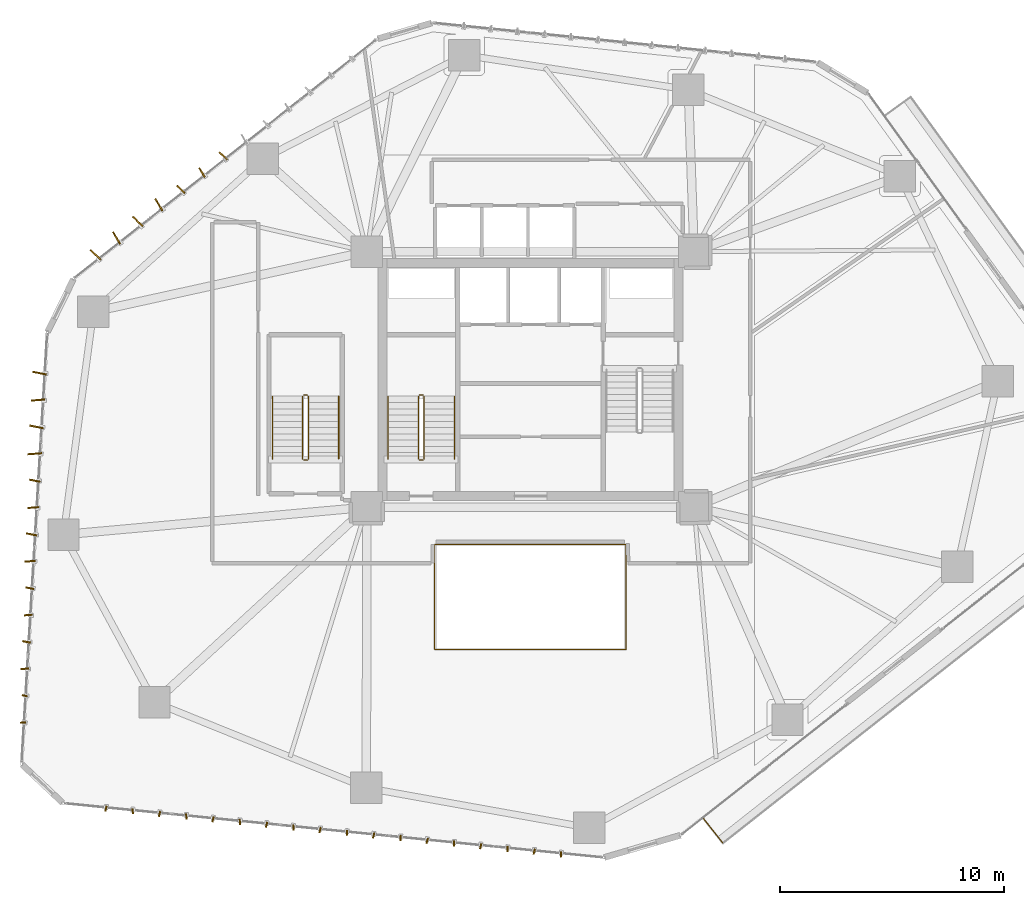
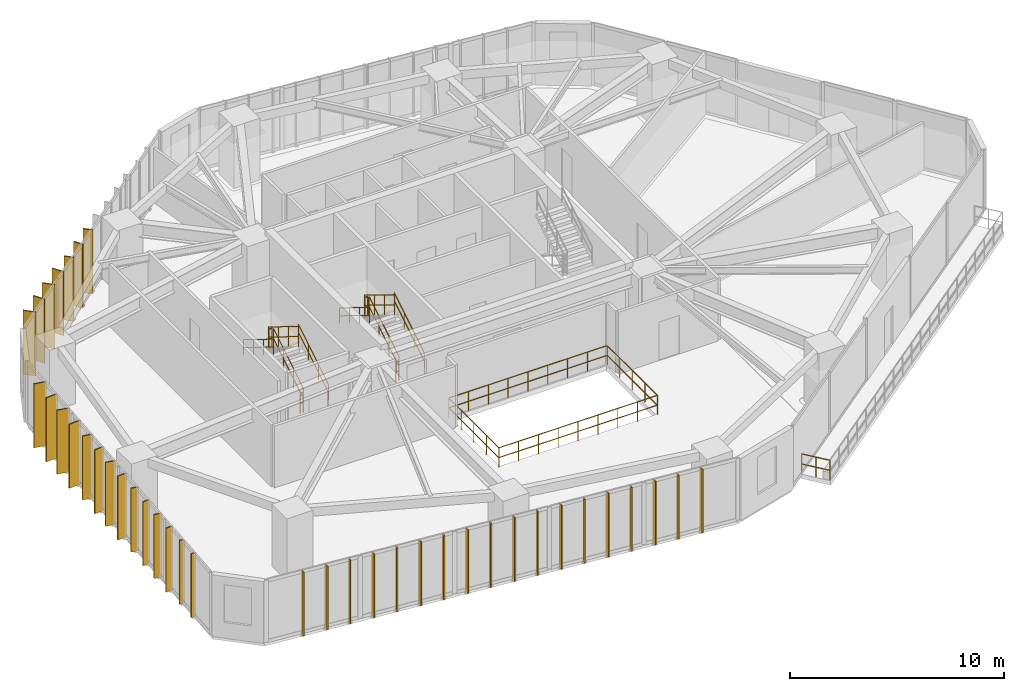
# One storey, part 22 of 24: 39 shading devices, 17 railings.
"""IFC4 building model written with IfcOpenShell, lengths in metres."""

from ifc_helpers import new_model, si_unit, direction, frame, origin, origin_2d, place, context, subcontext, project, spatial, rectangle, circle, extrude, source, transform, mapped, material, layer, layer_set, type_object, type_shapes, element, save


model = new_model("IFC4")

# Units and contexts
model_context = context("Model", 3, precision=1e-05, world=origin(), true_north=direction((0.0, 1.0)))
body_context = subcontext(model_context, "Body", "Model", "MODEL_VIEW")
ifc_project = project(units=[si_unit("LENGTHUNIT", "METRE"), si_unit("AREAUNIT", "SQUARE_METRE"), si_unit("VOLUMEUNIT", "CUBIC_METRE"), si_unit("PLANEANGLEUNIT", "RADIAN"), si_unit("MASSUNIT", "GRAM", prefix="KILO")], contexts=[model_context])

# Site, building, storey
site_placement = place(None, origin())
site = spatial("IfcSite", under=ifc_project, at=site_placement, CompositionType="ELEMENT")
building_placement = place(site_placement, origin())
building = spatial("IfcBuilding", under=site, at=building_placement, Name="Talar Marvaseh", CompositionType="ELEMENT")
storey_placement = place(building_placement, frame((0.0, 0.0, 73.39990234375)))
storey = spatial("IfcBuildingStorey", under=building, at=storey_placement, Name="L18", CompositionType="ELEMENT", Elevation=73.39990234375)

# Railings
ifc_material_1 = material(Name="Stainless Steel Grade 316", Category="steel")
railing_type_1 = type_object("IfcRailingType", Name="Brushed Stainless Wall Pitch Handrail 900", PredefinedType="HANDRAIL", material=ifc_material_1)
railing_1_placement = place(storey_placement, frame((22.610107421875, 27.64990234375, 0.1728515625)))
element("IfcRailing", 1, at=railing_1_placement, inside=storey, type_object=railing_type_1, Name="L18 ST-1 stair handrail 1", PredefinedType="HANDRAIL", context=body_context, shape_type="SweptSolid", body=[
    extrude(circle(Radius=0.02392578125, at=origin_2d()), frame((0.0, 0.0, 0.8759765625), z_axis=(0.0, 0.851089632645, 0.525020415988), x_axis=(-1.0, 0.0, 0.0)), (0.0, 0.0, 1.0), 3.2900390625),
    extrude(circle(Radius=0.02392578125, at=origin_2d()), frame((0.0, 0.0, 0.42578125), z_axis=(0.0, 0.851089632645, 0.525020415988), x_axis=(-1.0, 0.0, 0.0)), (0.0, 0.0, 1.0), 3.2900390625),
    extrude(circle(Radius=0.02099609375, at=origin_2d()), origin(), (0.0, 0.0, 1.0), 0.851806640625),
    extrude(circle(Radius=0.02099609375, at=origin_2d()), frame((0.0, 0.933349609375, 0.57568359375)), (0.0, 0.0, 1.0), 0.851806640625),
    extrude(circle(Radius=0.02099609375, at=origin_2d()), frame((0.0, 1.86669921875, 1.151611328125)), (0.0, 0.0, 1.0), 0.851806640625),
    extrude(circle(Radius=0.02099609375, at=origin_2d()), frame((0.0, 2.800048828125, 1.727294921875)), (0.0, 0.0, 1.0), 0.851806640625),
])
railing_2_placement = place(storey_placement, frame((19.64990234375, 30.449951171875, 2.07275390625)))
element("IfcRailing", 2, at=railing_2_placement, inside=storey, type_object=railing_type_1, Name="L18 ST-1 stair handrail 2", PredefinedType="HANDRAIL", context=body_context, shape_type="SweptSolid", body=[
    extrude(circle(Radius=0.02392578125, at=origin_2d()), frame((0.0, 0.0, 0.8759765625), z_axis=(0.0, -0.851089632645, 0.525020415988), x_axis=(1.0, 0.0, 0.0)), (0.0, 0.0, 1.0), 3.2900390625),
    extrude(circle(Radius=0.02392578125, at=origin_2d()), frame((0.0, 0.0, 0.42578125), z_axis=(0.0, -0.851089632645, 0.525020415988), x_axis=(1.0, 0.0, 0.0)), (0.0, 0.0, 1.0), 3.2900390625),
    extrude(circle(Radius=0.02099609375, at=origin_2d()), origin(), (0.0, 0.0, 1.0), 0.851806640625),
    extrude(circle(Radius=0.02099609375, at=origin_2d()), frame((0.0, -0.933349609375, 0.57568359375)), (0.0, 0.0, 1.0), 0.851806640625),
    extrude(circle(Radius=0.02099609375, at=origin_2d()), frame((0.0, -1.86669921875, 1.151611328125)), (0.0, 0.0, 1.0), 0.851806640625),
    extrude(circle(Radius=0.02099609375, at=origin_2d()), frame((0.0, -2.800048828125, 1.727294921875)), (0.0, 0.0, 1.0), 0.851806640625),
])
railing_3_placement = place(storey_placement, frame((17.449951171875, 27.64990234375, 0.1728515625)))
element("IfcRailing", 3, at=railing_3_placement, inside=storey, type_object=railing_type_1, Name="L18 ST-3 stair handrail 1", PredefinedType="HANDRAIL", context=body_context, shape_type="SweptSolid", body=[
    extrude(circle(Radius=0.02392578125, at=origin_2d()), frame((0.0, 0.0, 0.8759765625), z_axis=(0.0, 0.851089632645, 0.525020415988), x_axis=(-1.0, 0.0, 0.0)), (0.0, 0.0, 1.0), 3.2900390625),
    extrude(circle(Radius=0.02392578125, at=origin_2d()), frame((0.0, 0.0, 0.42578125), z_axis=(0.0, 0.851089632645, 0.525020415988), x_axis=(-1.0, 0.0, 0.0)), (0.0, 0.0, 1.0), 3.2900390625),
    extrude(circle(Radius=0.02099609375, at=origin_2d()), origin(), (0.0, 0.0, 1.0), 0.851806640625),
    extrude(circle(Radius=0.02099609375, at=origin_2d()), frame((0.0, 0.933349609375, 0.57568359375)), (0.0, 0.0, 1.0), 0.851806640625),
    extrude(circle(Radius=0.02099609375, at=origin_2d()), frame((0.0, 1.86669921875, 1.151611328125)), (0.0, 0.0, 1.0), 0.851806640625),
    extrude(circle(Radius=0.02099609375, at=origin_2d()), frame((0.0, 2.800048828125, 1.727294921875)), (0.0, 0.0, 1.0), 0.851806640625),
])
railing_4_placement = place(storey_placement, frame((14.489990234375, 30.449951171875, 2.07275390625)))
element("IfcRailing", 4, at=railing_4_placement, inside=storey, type_object=railing_type_1, Name="L18 ST-3 stair handrail 2", PredefinedType="HANDRAIL", context=body_context, shape_type="SweptSolid", body=[
    extrude(circle(Radius=0.02392578125, at=origin_2d()), frame((0.0, 0.0, 0.8759765625), z_axis=(0.0, -0.851089632645, 0.525020415988), x_axis=(1.0, 0.0, 0.0)), (0.0, 0.0, 1.0), 3.2900390625),
    extrude(circle(Radius=0.02392578125, at=origin_2d()), frame((0.0, 0.0, 0.42578125), z_axis=(0.0, -0.851089632645, 0.525020415988), x_axis=(1.0, 0.0, 0.0)), (0.0, 0.0, 1.0), 3.2900390625),
    extrude(circle(Radius=0.02099609375, at=origin_2d()), origin(), (0.0, 0.0, 1.0), 0.851806640625),
    extrude(circle(Radius=0.02099609375, at=origin_2d()), frame((0.0, -0.933349609375, 0.57568359375)), (0.0, 0.0, 1.0), 0.851806640625),
    extrude(circle(Radius=0.02099609375, at=origin_2d()), frame((0.0, -1.86669921875, 1.151611328125)), (0.0, 0.0, 1.0), 0.851806640625),
    extrude(circle(Radius=0.02099609375, at=origin_2d()), frame((0.0, -2.800048828125, 1.727294921875)), (0.0, 0.0, 1.0), 0.851806640625),
])
ifc_material_2 = material(Name="Tempered Clear Glass", Category="glass")
railing_type_2 = type_object("IfcRailingType", Name="External Laminated Glass Terrace Balustrade 1150", PredefinedType="BALUSTRADE", material=ifc_material_2)
railing_5_placement = place(storey_placement, frame((34.578369140625, 10.522705078125, 0.0)))
element("IfcRailing", 5, at=railing_5_placement, inside=storey, type_object=railing_type_2, Name="L18 External Terrace Balustrade 2 3", PredefinedType="BALUSTRADE", context=body_context, shape_type="SweptSolid", body=[
    extrude(circle(Radius=0.02392578125, at=origin_2d()), frame((0.0, 0.0, 1.1259765625), z_axis=(-0.618891652288, 0.785476366754, 0.0), x_axis=(-0.785476366754, -0.618891652288, 0.0)), (0.0, 0.0, 1.0), 1.409912109375),
    extrude(circle(Radius=0.02392578125, at=origin_2d()), frame((0.0, 0.0, 0.55078125), z_axis=(-0.618891652288, 0.785476366754, 0.0), x_axis=(-0.785476366754, -0.618891652288, 0.0)), (0.0, 0.0, 1.0), 1.409912109375),
    extrude(circle(Radius=0.02099609375, at=origin_2d()), origin(), (0.0, 0.0, 1.0), 1.101806640625),
    extrude(circle(Radius=0.02099609375, at=origin_2d()), frame((-0.436279296875, 0.5537109375, 0.0)), (0.0, 0.0, 1.0), 1.101806640625),
    extrude(circle(Radius=0.02099609375, at=origin_2d()), frame((-0.87255859375, 1.107421875, 0.0)), (0.0, 0.0, 1.0), 1.101806640625),
])
railing_type_3 = type_object("IfcRailingType", Name="Interior Atrium Edge Balustrade 1120", PredefinedType="BALUSTRADE", material=ifc_material_2)
railing_6_placement = place(storey_placement, frame((21.729736328125, 19.16162109375, 0.0)))
element("IfcRailing", 6, at=railing_6_placement, inside=storey, type_object=railing_type_3, Name="L18 Internal Daylight Atrium Balustrade 1", PredefinedType="BALUSTRADE", context=body_context, shape_type="SweptSolid", body=[
    extrude(circle(Radius=0.02392578125, at=origin_2d()), frame((0.0, 0.0, 1.09619140625), z_axis=(1.0, 0.0, 0.0), x_axis=(0.0, 1.0, 0.0)), (0.0, 0.0, 1.0), 8.54052734375),
    extrude(circle(Radius=0.02392578125, at=origin_2d()), frame((0.0, 0.0, 0.5361328125), z_axis=(1.0, 0.0, 0.0), x_axis=(0.0, 1.0, 0.0)), (0.0, 0.0, 1.0), 8.54052734375),
    extrude(circle(Radius=0.02099609375, at=origin_2d()), origin(), (0.0, 0.0, 1.0), 1.072021484375),
    extrude(circle(Radius=0.02099609375, at=origin_2d()), frame((1.067626953125, 0.0, 0.0)), (0.0, 0.0, 1.0), 1.072021484375),
    extrude(circle(Radius=0.02099609375, at=origin_2d()), frame((2.13525390625, 0.0, 0.0)), (0.0, 0.0, 1.0), 1.072021484375),
    extrude(circle(Radius=0.02099609375, at=origin_2d()), frame((3.20263671875, 0.0, 0.0)), (0.0, 0.0, 1.0), 1.072021484375),
    extrude(circle(Radius=0.02099609375, at=origin_2d()), frame((4.270263671875, 0.0, 0.0)), (0.0, 0.0, 1.0), 1.072021484375),
    extrude(circle(Radius=0.02099609375, at=origin_2d()), frame((5.337890625, 0.0, 0.0)), (0.0, 0.0, 1.0), 1.072021484375),
    extrude(circle(Radius=0.02099609375, at=origin_2d()), frame((6.4052734375, 0.0, 0.0)), (0.0, 0.0, 1.0), 1.072021484375),
    extrude(circle(Radius=0.02099609375, at=origin_2d()), frame((7.472900390625, 0.0, 0.0)), (0.0, 0.0, 1.0), 1.072021484375),
    extrude(circle(Radius=0.02099609375, at=origin_2d()), frame((8.54052734375, 0.0, 0.0)), (0.0, 0.0, 1.0), 1.072021484375),
])
railing_7_placement = place(storey_placement, frame((30.270263671875, 19.16162109375, 0.0)))
element("IfcRailing", 7, at=railing_7_placement, inside=storey, type_object=railing_type_3, Name="L18 Internal Daylight Atrium Balustrade 2", PredefinedType="BALUSTRADE", context=body_context, shape_type="SweptSolid", body=[
    extrude(circle(Radius=0.02392578125, at=origin_2d()), frame((0.0, 0.0, 1.09619140625), z_axis=(0.0, 1.0, 0.0), x_axis=(-1.0, 0.0, 0.0)), (0.0, 0.0, 1.0), 4.6767578125),
    extrude(circle(Radius=0.02392578125, at=origin_2d()), frame((0.0, 0.0, 0.5361328125), z_axis=(0.0, 1.0, 0.0), x_axis=(-1.0, 0.0, 0.0)), (0.0, 0.0, 1.0), 4.6767578125),
    extrude(circle(Radius=0.02099609375, at=origin_2d()), origin(), (0.0, 0.0, 1.0), 1.072021484375),
    extrude(circle(Radius=0.02099609375, at=origin_2d()), frame((0.0, 1.169189453125, 0.0)), (0.0, 0.0, 1.0), 1.072021484375),
    extrude(circle(Radius=0.02099609375, at=origin_2d()), frame((0.0, 2.33837890625, 0.0)), (0.0, 0.0, 1.0), 1.072021484375),
    extrude(circle(Radius=0.02099609375, at=origin_2d()), frame((0.0, 3.507568359375, 0.0)), (0.0, 0.0, 1.0), 1.072021484375),
    extrude(circle(Radius=0.02099609375, at=origin_2d()), frame((0.0, 4.6767578125, 0.0)), (0.0, 0.0, 1.0), 1.072021484375),
])
railing_8_placement = place(storey_placement, frame((30.270263671875, 23.83837890625, 0.0)))
element("IfcRailing", 8, at=railing_8_placement, inside=storey, type_object=railing_type_3, Name="L18 Internal Daylight Atrium Balustrade 3", PredefinedType="BALUSTRADE", context=body_context, shape_type="SweptSolid", body=[
    extrude(circle(Radius=0.02392578125, at=origin_2d()), frame((0.0, 0.0, 1.09619140625), z_axis=(-1.0, 0.0, 0.0), x_axis=(0.0, -1.0, 0.0)), (0.0, 0.0, 1.0), 8.54052734375),
    extrude(circle(Radius=0.02392578125, at=origin_2d()), frame((0.0, 0.0, 0.5361328125), z_axis=(-1.0, 0.0, 0.0), x_axis=(0.0, -1.0, 0.0)), (0.0, 0.0, 1.0), 8.54052734375),
    extrude(circle(Radius=0.02099609375, at=origin_2d()), origin(), (0.0, 0.0, 1.0), 1.072021484375),
    extrude(circle(Radius=0.02099609375, at=origin_2d()), frame((-1.067626953125, 0.0, 0.0)), (0.0, 0.0, 1.0), 1.072021484375),
    extrude(circle(Radius=0.02099609375, at=origin_2d()), frame((-2.13525390625, 0.0, 0.0)), (0.0, 0.0, 1.0), 1.072021484375),
    extrude(circle(Radius=0.02099609375, at=origin_2d()), frame((-3.20263671875, 0.0, 0.0)), (0.0, 0.0, 1.0), 1.072021484375),
    extrude(circle(Radius=0.02099609375, at=origin_2d()), frame((-4.270263671875, 0.0, 0.0)), (0.0, 0.0, 1.0), 1.072021484375),
    extrude(circle(Radius=0.02099609375, at=origin_2d()), frame((-5.337890625, 0.0, 0.0)), (0.0, 0.0, 1.0), 1.072021484375),
    extrude(circle(Radius=0.02099609375, at=origin_2d()), frame((-6.4052734375, 0.0, 0.0)), (0.0, 0.0, 1.0), 1.072021484375),
    extrude(circle(Radius=0.02099609375, at=origin_2d()), frame((-7.472900390625, 0.0, 0.0)), (0.0, 0.0, 1.0), 1.072021484375),
    extrude(circle(Radius=0.02099609375, at=origin_2d()), frame((-8.54052734375, 0.0, 0.0)), (0.0, 0.0, 1.0), 1.072021484375),
])
railing_9_placement = place(storey_placement, frame((21.729736328125, 23.83837890625, 0.0)))
element("IfcRailing", 9, at=railing_9_placement, inside=storey, type_object=railing_type_3, Name="L18 Internal Daylight Atrium Balustrade 4", PredefinedType="BALUSTRADE", context=body_context, shape_type="SweptSolid", body=[
    extrude(circle(Radius=0.02392578125, at=origin_2d()), frame((0.0, 0.0, 1.09619140625), z_axis=(0.0, -1.0, 0.0), x_axis=(1.0, 0.0, 0.0)), (0.0, 0.0, 1.0), 4.6767578125),
    extrude(circle(Radius=0.02392578125, at=origin_2d()), frame((0.0, 0.0, 0.5361328125), z_axis=(0.0, -1.0, 0.0), x_axis=(1.0, 0.0, 0.0)), (0.0, 0.0, 1.0), 4.6767578125),
    extrude(circle(Radius=0.02099609375, at=origin_2d()), origin(), (0.0, 0.0, 1.0), 1.072021484375),
    extrude(circle(Radius=0.02099609375, at=origin_2d()), frame((0.0, -1.169189453125, 0.0)), (0.0, 0.0, 1.0), 1.072021484375),
    extrude(circle(Radius=0.02099609375, at=origin_2d()), frame((0.0, -2.33837890625, 0.0)), (0.0, 0.0, 1.0), 1.072021484375),
    extrude(circle(Radius=0.02099609375, at=origin_2d()), frame((0.0, -3.507568359375, 0.0)), (0.0, 0.0, 1.0), 1.072021484375),
    extrude(circle(Radius=0.02099609375, at=origin_2d()), frame((0.0, -4.6767578125, 0.0)), (0.0, 0.0, 1.0), 1.072021484375),
])
railing_type_4 = type_object("IfcRailingType", Name="Painted Steel Core Stair Well Guardrail 1150", PredefinedType="GUARDRAIL", material=ifc_material_1)
railing_10_placement = place(storey_placement, frame((21.260009765625, 27.64990234375, 0.1728515625)))
element("IfcRailing", 10, at=railing_10_placement, inside=storey, type_object=railing_type_4, Name="L18 ST-1 stair guard 1", PredefinedType="GUARDRAIL", context=body_context, shape_type="SweptSolid", body=[
    extrude(circle(Radius=0.02392578125, at=origin_2d()), frame((0.0, 0.0, 1.1259765625), z_axis=(0.0, 0.851089632645, 0.525020415988), x_axis=(-1.0, 0.0, 0.0)), (0.0, 0.0, 1.0), 3.2900390625),
    extrude(circle(Radius=0.02392578125, at=origin_2d()), frame((0.0, 0.0, 0.55078125), z_axis=(0.0, 0.851089632645, 0.525020415988), x_axis=(-1.0, 0.0, 0.0)), (0.0, 0.0, 1.0), 3.2900390625),
    extrude(circle(Radius=0.02099609375, at=origin_2d()), origin(), (0.0, 0.0, 1.0), 1.101806640625),
    extrude(circle(Radius=0.02099609375, at=origin_2d()), frame((0.0, 0.933349609375, 0.57568359375)), (0.0, 0.0, 1.0), 1.101806640625),
    extrude(circle(Radius=0.02099609375, at=origin_2d()), frame((0.0, 1.86669921875, 1.151611328125)), (0.0, 0.0, 1.0), 1.101806640625),
    extrude(circle(Radius=0.02099609375, at=origin_2d()), frame((0.0, 2.800048828125, 1.727294921875)), (0.0, 0.0, 1.0), 1.101806640625),
])
railing_11_placement = place(storey_placement, frame((21.2099609375, 30.5, 1.900146484375)))
element("IfcRailing", 11, at=railing_11_placement, inside=storey, type_object=railing_type_4, Name="L18 ST-1 stair guard 2", PredefinedType="GUARDRAIL", context=body_context, shape_type="SweptSolid", body=[
    extrude(circle(Radius=0.02392578125, at=origin_2d()), frame((0.0, 0.0, 1.1259765625), z_axis=(-1.0, 0.0, 0.0), x_axis=(0.0, -1.0, 0.0)), (0.0, 0.0, 1.0), 0.159912109375),
    extrude(circle(Radius=0.02392578125, at=origin_2d()), frame((0.0, 0.0, 0.55078125), z_axis=(-1.0, 0.0, 0.0), x_axis=(0.0, -1.0, 0.0)), (0.0, 0.0, 1.0), 0.159912109375),
    extrude(circle(Radius=0.02099609375, at=origin_2d()), origin(), (0.0, 0.0, 1.0), 1.101806640625),
    extrude(circle(Radius=0.02099609375, at=origin_2d()), frame((-0.159912109375, 0.0, 0.0)), (0.0, 0.0, 1.0), 1.101806640625),
])
railing_12_placement = place(storey_placement, frame((21.0, 30.449951171875, 2.07275390625)))
element("IfcRailing", 12, at=railing_12_placement, inside=storey, type_object=railing_type_4, Name="L18 ST-1 stair guard 3", PredefinedType="GUARDRAIL", context=body_context, shape_type="SweptSolid", body=[
    extrude(circle(Radius=0.02392578125, at=origin_2d()), frame((0.0, 0.0, 1.1259765625), z_axis=(0.0, -0.851089632645, 0.525020415988), x_axis=(1.0, 0.0, 0.0)), (0.0, 0.0, 1.0), 3.2900390625),
    extrude(circle(Radius=0.02392578125, at=origin_2d()), frame((0.0, 0.0, 0.55078125), z_axis=(0.0, -0.851089632645, 0.525020415988), x_axis=(1.0, 0.0, 0.0)), (0.0, 0.0, 1.0), 3.2900390625),
    extrude(circle(Radius=0.02099609375, at=origin_2d()), origin(), (0.0, 0.0, 1.0), 1.101806640625),
    extrude(circle(Radius=0.02099609375, at=origin_2d()), frame((0.0, -0.933349609375, 0.57568359375)), (0.0, 0.0, 1.0), 1.101806640625),
    extrude(circle(Radius=0.02099609375, at=origin_2d()), frame((0.0, -1.86669921875, 1.151611328125)), (0.0, 0.0, 1.0), 1.101806640625),
    extrude(circle(Radius=0.02099609375, at=origin_2d()), frame((0.0, -2.800048828125, 1.727294921875)), (0.0, 0.0, 1.0), 1.101806640625),
])
railing_13_placement = place(storey_placement, frame((21.2099609375, 27.60009765625, 0.0)))
element("IfcRailing", 13, at=railing_13_placement, inside=storey, type_object=railing_type_4, Name="L18 ST-1 stair guard 4", PredefinedType="GUARDRAIL", context=body_context, shape_type="SweptSolid", body=[
    extrude(circle(Radius=0.02392578125, at=origin_2d()), frame((0.0, 0.0, 1.1259765625), z_axis=(-1.0, 0.0, 0.0), x_axis=(0.0, -1.0, 0.0)), (0.0, 0.0, 1.0), 0.159912109375),
    extrude(circle(Radius=0.02392578125, at=origin_2d()), frame((0.0, 0.0, 0.55078125), z_axis=(-1.0, 0.0, 0.0), x_axis=(0.0, -1.0, 0.0)), (0.0, 0.0, 1.0), 0.159912109375),
    extrude(circle(Radius=0.02099609375, at=origin_2d()), origin(), (0.0, 0.0, 1.0), 1.101806640625),
    extrude(circle(Radius=0.02099609375, at=origin_2d()), frame((-0.159912109375, 0.0, 0.0)), (0.0, 0.0, 1.0), 1.101806640625),
])
railing_14_placement = place(storey_placement, frame((16.10009765625, 27.64990234375, 0.1728515625)))
element("IfcRailing", 14, at=railing_14_placement, inside=storey, type_object=railing_type_4, Name="L18 ST-3 stair guard 1", PredefinedType="GUARDRAIL", context=body_context, shape_type="SweptSolid", body=[
    extrude(circle(Radius=0.02392578125, at=origin_2d()), frame((0.0, 0.0, 1.1259765625), z_axis=(0.0, 0.851089632645, 0.525020415988), x_axis=(-1.0, 0.0, 0.0)), (0.0, 0.0, 1.0), 3.2900390625),
    extrude(circle(Radius=0.02392578125, at=origin_2d()), frame((0.0, 0.0, 0.55078125), z_axis=(0.0, 0.851089632645, 0.525020415988), x_axis=(-1.0, 0.0, 0.0)), (0.0, 0.0, 1.0), 3.2900390625),
    extrude(circle(Radius=0.02099609375, at=origin_2d()), origin(), (0.0, 0.0, 1.0), 1.101806640625),
    extrude(circle(Radius=0.02099609375, at=origin_2d()), frame((0.0, 0.933349609375, 0.57568359375)), (0.0, 0.0, 1.0), 1.101806640625),
    extrude(circle(Radius=0.02099609375, at=origin_2d()), frame((0.0, 1.86669921875, 1.151611328125)), (0.0, 0.0, 1.0), 1.101806640625),
    extrude(circle(Radius=0.02099609375, at=origin_2d()), frame((0.0, 2.800048828125, 1.727294921875)), (0.0, 0.0, 1.0), 1.101806640625),
])
railing_15_placement = place(storey_placement, frame((16.050048828125, 30.5, 1.900146484375)))
element("IfcRailing", 15, at=railing_15_placement, inside=storey, type_object=railing_type_4, Name="L18 ST-3 stair guard 2", PredefinedType="GUARDRAIL", context=body_context, shape_type="SweptSolid", body=[
    extrude(circle(Radius=0.02392578125, at=origin_2d()), frame((0.0, 0.0, 1.1259765625), z_axis=(-1.0, 0.0, 0.0), x_axis=(0.0, -1.0, 0.0)), (0.0, 0.0, 1.0), 0.16015625),
    extrude(circle(Radius=0.02392578125, at=origin_2d()), frame((0.0, 0.0, 0.55078125), z_axis=(-1.0, 0.0, 0.0), x_axis=(0.0, -1.0, 0.0)), (0.0, 0.0, 1.0), 0.16015625),
    extrude(circle(Radius=0.02099609375, at=origin_2d()), origin(), (0.0, 0.0, 1.0), 1.101806640625),
    extrude(circle(Radius=0.02099609375, at=origin_2d()), frame((-0.16015625, 0.0, 0.0)), (0.0, 0.0, 1.0), 1.101806640625),
])
railing_16_placement = place(storey_placement, frame((15.840087890625, 30.449951171875, 2.07275390625)))
element("IfcRailing", 16, at=railing_16_placement, inside=storey, type_object=railing_type_4, Name="L18 ST-3 stair guard 3", PredefinedType="GUARDRAIL", context=body_context, shape_type="SweptSolid", body=[
    extrude(circle(Radius=0.02392578125, at=origin_2d()), frame((0.0, 0.0, 1.1259765625), z_axis=(0.0, -0.851089632645, 0.525020415988), x_axis=(1.0, 0.0, 0.0)), (0.0, 0.0, 1.0), 3.2900390625),
    extrude(circle(Radius=0.02392578125, at=origin_2d()), frame((0.0, 0.0, 0.55078125), z_axis=(0.0, -0.851089632645, 0.525020415988), x_axis=(1.0, 0.0, 0.0)), (0.0, 0.0, 1.0), 3.2900390625),
    extrude(circle(Radius=0.02099609375, at=origin_2d()), origin(), (0.0, 0.0, 1.0), 1.101806640625),
    extrude(circle(Radius=0.02099609375, at=origin_2d()), frame((0.0, -0.933349609375, 0.57568359375)), (0.0, 0.0, 1.0), 1.101806640625),
    extrude(circle(Radius=0.02099609375, at=origin_2d()), frame((0.0, -1.86669921875, 1.151611328125)), (0.0, 0.0, 1.0), 1.101806640625),
    extrude(circle(Radius=0.02099609375, at=origin_2d()), frame((0.0, -2.800048828125, 1.727294921875)), (0.0, 0.0, 1.0), 1.101806640625),
])
railing_17_placement = place(storey_placement, frame((16.050048828125, 27.60009765625, 0.0)))
element("IfcRailing", 17, at=railing_17_placement, inside=storey, type_object=railing_type_4, Name="L18 ST-3 stair guard 4", PredefinedType="GUARDRAIL", context=body_context, shape_type="SweptSolid", body=[
    extrude(circle(Radius=0.02392578125, at=origin_2d()), frame((0.0, 0.0, 1.1259765625), z_axis=(-1.0, 0.0, 0.0), x_axis=(0.0, -1.0, 0.0)), (0.0, 0.0, 1.0), 0.16015625),
    extrude(circle(Radius=0.02392578125, at=origin_2d()), frame((0.0, 0.0, 0.55078125), z_axis=(-1.0, 0.0, 0.0), x_axis=(0.0, -1.0, 0.0)), (0.0, 0.0, 1.0), 0.16015625),
    extrude(circle(Radius=0.02099609375, at=origin_2d()), origin(), (0.0, 0.0, 1.0), 1.101806640625),
    extrude(circle(Radius=0.02099609375, at=origin_2d()), frame((-0.16015625, 0.0, 0.0)), (0.0, 0.0, 1.0), 1.101806640625),
])

# Shading devices
ifc_material_3 = material(Name="Anodised Champagne Bronze Aluminium", Category="aluminium")
ifc_layer_1 = layer(ifc_material_3, 0.06494140625)
ifc_layer_set_1 = layer_set([ifc_layer_1], Name="Anodised Champagne Bronze Aluminium")
shading_device_type_1 = type_object("IfcShadingDeviceType", Name="Sawtooth Champagne Bronze Vertical Fin 240", PredefinedType="USERDEFINED", material=ifc_layer_set_1)
shared_shape_1 = source(origin(), body_context, "Body", "SweptSolid", [
    extrude(rectangle(XDim=0.239990234375, YDim=0.06494140625, at=origin_2d()), origin(), (0.0, 0.0, 1.0), 3.639892578125),
])
type_shapes(shading_device_type_1, [shared_shape_1])
for number, where, z_axis, x_axis, name in (
    (18, (3.371337890625, 15.893798828125, -0.11962890625), (0.0, 0.0, 1.0), (-0.996778878456, -0.080198924329, 0.0), "L18 Sawtooth Vertical Solar Fin"),
    (19, (3.442626953125, 17.091796875, -0.11962890625), (0.0, 0.0, 1.0), (-0.980271174622, 0.197657340379, 0.0), "L18 Sawtooth Vertical Solar Fin"),
    (20, (27.365478515625, 10.0166015625, -0.11962890625), (0.0, 0.0, 1.0), (0.039434213527, -0.999222168891, 0.0), "L18 Sawtooth Vertical Solar Fin"),
    (21, (26.17138671875, 10.13671875, -0.11962890625), (0.0, 0.0, 1.0), (-0.237516357534, -0.971383539033, 0.0), "L18 Sawtooth Vertical Solar Fin"),
    (22, (24.9775390625, 10.2568359375, -0.11962890625), (0.0, 0.0, 1.0), (0.039434213527, -0.999222168891, 0.0), "L18 Sawtooth Vertical Solar Fin"),
    (23, (23.783447265625, 10.376953125, -0.11962890625), (0.0, 0.0, 1.0), (-0.237516357534, -0.971383539033, 0.0), "L18 Sawtooth Vertical Solar Fin"),
    (24, (22.589599609375, 10.496826171875, -0.11962890625), (0.0, 0.0, 1.0), (0.039434213527, -0.999222168891, 0.0), "L18 Sawtooth Vertical Solar Fin"),
    (25, (21.3955078125, 10.616943359375, -0.11962890625), (0.0, 0.0, 1.0), (-0.237516357534, -0.971383539033, 0.0), "L18 Sawtooth Vertical Solar Fin"),
    (26, (20.201416015625, 10.737060546875, -0.11962890625), (0.0, 0.0, 1.0), (0.039434213527, -0.999222168891, 0.0), "L18 Sawtooth Vertical Solar Fin"),
    (27, (19.007568359375, 10.85693359375, -0.11962890625), (0.0, 0.0, 1.0), (-0.237516357534, -0.971383539033, 0.0), "L18 Sawtooth Vertical Solar Fin"),
    (28, (17.813720703125, 10.97705078125, -0.11962890625), (0.0, 0.0, 1.0), (0.039434213527, -0.999222168891, 0.0), "L18 Sawtooth Vertical Solar Fin"),
    (29, (16.61962890625, 11.09716796875, -0.11962890625), (0.0, 0.0, 1.0), (-0.237516357534, -0.971383539033, 0.0), "L18 Sawtooth Vertical Solar Fin"),
    (30, (15.425537109375, 11.217041015625, -0.11962890625), (0.0, 0.0, 1.0), (0.039434213527, -0.999222168891, 0.0), "L18 Sawtooth Vertical Solar Fin"),
    (31, (14.231689453125, 11.337158203125, -0.11962890625), (0.0, 0.0, 1.0), (-0.237516357534, -0.971383539033, 0.0), "L18 Sawtooth Vertical Solar Fin"),
    (32, (13.03759765625, 11.457275390625, -0.11962890625), (0.0, 0.0, 1.0), (0.039434213527, -0.999222168891, 0.0), "L18 Sawtooth Vertical Solar Fin"),
    (33, (11.84375, 11.577392578125, -0.11962890625), (0.0, 0.0, 1.0), (-0.237516357534, -0.971383539033, 0.0), "L18 Sawtooth Vertical Solar Fin"),
    (34, (10.649658203125, 11.697265625, -0.11962890625), (0.0, 0.0, 1.0), (0.039434213527, -0.999222168891, 0.0), "L18 Sawtooth Vertical Solar Fin"),
    (35, (9.455810546875, 11.8173828125, -0.11962890625), (0.0, 0.0, 1.0), (-0.237516357534, -0.971383539033, 0.0), "L18 Sawtooth Vertical Solar Fin"),
    (36, (8.26171875, 11.9375, -0.11962890625), (0.0, 0.0, 1.0), (0.039434213527, -0.999222168891, 0.0), "L18 Sawtooth Vertical Solar Fin"),
    (37, (7.06787109375, 12.057373046875, -0.11962890625), (0.0, 0.0, 1.0), (-0.237516357534, -0.971383539033, 0.0), "L18 Sawtooth Vertical Solar Fin"),
):
    element("IfcShadingDevice", number, at=place(storey_placement, frame(where, z_axis=z_axis, x_axis=x_axis)), inside=storey, type_object=shading_device_type_1, Name=name, ObjectType="FIN", PredefinedType="USERDEFINED", context=body_context, shape_type="MappedRepresentation", body=[
        mapped(shared_shape_1, transform((0.0, 0.0, 0.0), x_axis=(1.0, 0.0, 0.0), y_axis=(0.0, 1.0, 0.0), z_axis=(0.0, 0.0, 1.0), scale=1.0)),
    ])
ifc_layer_2 = layer(ifc_material_3, 0.06494140625)
ifc_layer_set_2 = layer_set([ifc_layer_2], Name="Anodised Champagne Bronze Aluminium")
shading_device_type_2 = type_object("IfcShadingDeviceType", Name="Sawtooth Champagne Bronze Vertical Fin 360", PredefinedType="USERDEFINED", material=ifc_layer_set_2)
shared_shape_2 = source(origin(), body_context, "Body", "SweptSolid", [
    extrude(rectangle(XDim=0.360107421875, YDim=0.06494140625, at=origin_2d()), origin(), (0.0, 0.0, 1.0), 3.639892578125),
])
type_shapes(shading_device_type_2, [shared_shape_2])
for number, where, z_axis, x_axis, name in (
    (38, (3.4541015625, 18.293212890625, -0.11962890625), (0.0, 0.0, 1.0), (-0.996778878456, -0.080198924329, 0.0), "L18 Sawtooth Vertical Solar Fin"),
    (39, (3.525390625, 19.4912109375, -0.11962890625), (0.0, 0.0, 1.0), (-0.980271174622, 0.197657340379, 0.0), "L18 Sawtooth Vertical Solar Fin"),
    (40, (3.596435546875, 20.68896484375, -0.11962890625), (0.0, 0.0, 1.0), (-0.996778878456, -0.080198924329, 0.0), "L18 Sawtooth Vertical Solar Fin"),
    (41, (3.667724609375, 21.886962890625, -0.11962890625), (0.0, 0.0, 1.0), (-0.980271174622, 0.197657340379, 0.0), "L18 Sawtooth Vertical Solar Fin"),
):
    element("IfcShadingDevice", number, at=place(storey_placement, frame(where, z_axis=z_axis, x_axis=x_axis)), inside=storey, type_object=shading_device_type_2, Name=name, ObjectType="FIN", PredefinedType="USERDEFINED", context=body_context, shape_type="MappedRepresentation", body=[
        mapped(shared_shape_2, transform((0.0, 0.0, 0.0), x_axis=(1.0, 0.0, 0.0), y_axis=(0.0, 1.0, 0.0), z_axis=(0.0, 0.0, 1.0), scale=1.0)),
    ])
ifc_layer_3 = layer(ifc_material_3, 0.06494140625)
ifc_layer_set_3 = layer_set([ifc_layer_3], Name="Anodised Champagne Bronze Aluminium")
shading_device_type_3 = type_object("IfcShadingDeviceType", Name="Sawtooth Champagne Bronze Vertical Fin 480", PredefinedType="USERDEFINED", material=ifc_layer_set_3)
shared_shape_3 = source(origin(), body_context, "Body", "SweptSolid", [
    extrude(rectangle(XDim=0.47998046875, YDim=0.06494140625, at=origin_2d()), origin(), (0.0, 0.0, 1.0), 3.639892578125),
])
type_shapes(shading_device_type_3, [shared_shape_3])
for number, where, z_axis, x_axis, name in (
    (42, (3.67919921875, 23.08837890625, -0.11962890625), (0.0, 0.0, 1.0), (-0.996778878456, -0.080198924329, 0.0), "L18 Sawtooth Vertical Solar Fin"),
    (43, (3.75048828125, 24.2861328125, -0.11962890625), (0.0, 0.0, 1.0), (-0.980271174622, 0.197657340379, 0.0), "L18 Sawtooth Vertical Solar Fin"),
    (44, (3.821533203125, 25.484130859375, -0.11962890625), (0.0, 0.0, 1.0), (-0.996778878456, -0.080198924329, 0.0), "L18 Sawtooth Vertical Solar Fin"),
    (45, (3.892822265625, 26.681884765625, -0.11962890625), (0.0, 0.0, 1.0), (-0.980271174622, 0.197657340379, 0.0), "L18 Sawtooth Vertical Solar Fin"),
    (46, (10.409912109375, 39.680908203125, -0.11962890625), (0.0, 0.0, 1.0), (-0.723208265315, 0.690630005849, 0.0), "L18 Sawtooth Vertical Solar Fin"),
    (47, (11.351318359375, 40.425048828125, -0.11962890625), (0.0, 0.0, 1.0), (-0.504828974973, 0.863219384645, 0.0), "L18 Sawtooth Vertical Solar Fin"),
    (48, (12.29296875, 41.1689453125, -0.11962890625), (0.0, 0.0, 1.0), (-0.723208265315, 0.690630005849, 0.0), "L18 Sawtooth Vertical Solar Fin"),
):
    element("IfcShadingDevice", number, at=place(storey_placement, frame(where, z_axis=z_axis, x_axis=x_axis)), inside=storey, type_object=shading_device_type_3, Name=name, ObjectType="FIN", PredefinedType="USERDEFINED", context=body_context, shape_type="MappedRepresentation", body=[
        mapped(shared_shape_3, transform((0.0, 0.0, 0.0), x_axis=(1.0, 0.0, 0.0), y_axis=(0.0, 1.0, 0.0), z_axis=(0.0, 0.0, 1.0), scale=1.0)),
    ])
ifc_layer_4 = layer(ifc_material_3, 0.06494140625)
ifc_layer_set_4 = layer_set([ifc_layer_4], Name="Anodised Champagne Bronze Aluminium")
shading_device_type_4 = type_object("IfcShadingDeviceType", Name="Sawtooth Champagne Bronze Vertical Fin 620", PredefinedType="USERDEFINED", material=ifc_layer_set_4)
shared_shape_4 = source(origin(), body_context, "Body", "SweptSolid", [
    extrude(rectangle(XDim=0.6201171875, YDim=0.06494140625, at=origin_2d()), origin(), (0.0, 0.0, 1.0), 3.639892578125),
])
type_shapes(shading_device_type_4, [shared_shape_4])
for number, where, z_axis, x_axis, name in (
    (49, (3.894287109375, 27.884033203125, -0.11962890625), (0.0, 0.0, 1.0), (-0.996778878456, -0.080198924329, 0.0), "L18 Sawtooth Vertical Solar Fin"),
    (50, (3.965576171875, 29.081787109375, -0.11962890625), (0.0, 0.0, 1.0), (-0.980271174622, 0.197657340379, 0.0), "L18 Sawtooth Vertical Solar Fin"),
    (51, (4.03662109375, 30.27978515625, -0.11962890625), (0.0, 0.0, 1.0), (-0.996778878456, -0.080198924329, 0.0), "L18 Sawtooth Vertical Solar Fin"),
    (52, (4.10791015625, 31.477783203125, -0.11962890625), (0.0, 0.0, 1.0), (-0.980271174622, 0.197657340379, 0.0), "L18 Sawtooth Vertical Solar Fin"),
    (53, (6.6005859375, 36.759765625, -0.11962890625), (0.0, 0.0, 1.0), (-0.723208265315, 0.690630005849, 0.0), "L18 Sawtooth Vertical Solar Fin"),
    (54, (7.5419921875, 37.50390625, -0.11962890625), (0.0, 0.0, 1.0), (-0.504828974973, 0.863219384645, 0.0), "L18 Sawtooth Vertical Solar Fin"),
    (55, (8.4833984375, 38.247802734375, -0.11962890625), (0.0, 0.0, 1.0), (-0.723208265315, 0.690630005849, 0.0), "L18 Sawtooth Vertical Solar Fin"),
    (56, (9.425048828125, 38.99169921875, -0.11962890625), (0.0, 0.0, 1.0), (-0.504828974973, 0.863219384645, 0.0), "L18 Sawtooth Vertical Solar Fin"),
):
    element("IfcShadingDevice", number, at=place(storey_placement, frame(where, z_axis=z_axis, x_axis=x_axis)), inside=storey, type_object=shading_device_type_4, Name=name, ObjectType="FIN", PredefinedType="USERDEFINED", context=body_context, shape_type="MappedRepresentation", body=[
        mapped(shared_shape_4, transform((0.0, 0.0, 0.0), x_axis=(1.0, 0.0, 0.0), y_axis=(0.0, 1.0, 0.0), z_axis=(0.0, 0.0, 1.0), scale=1.0)),
    ])

save(model, "model.ifc")
